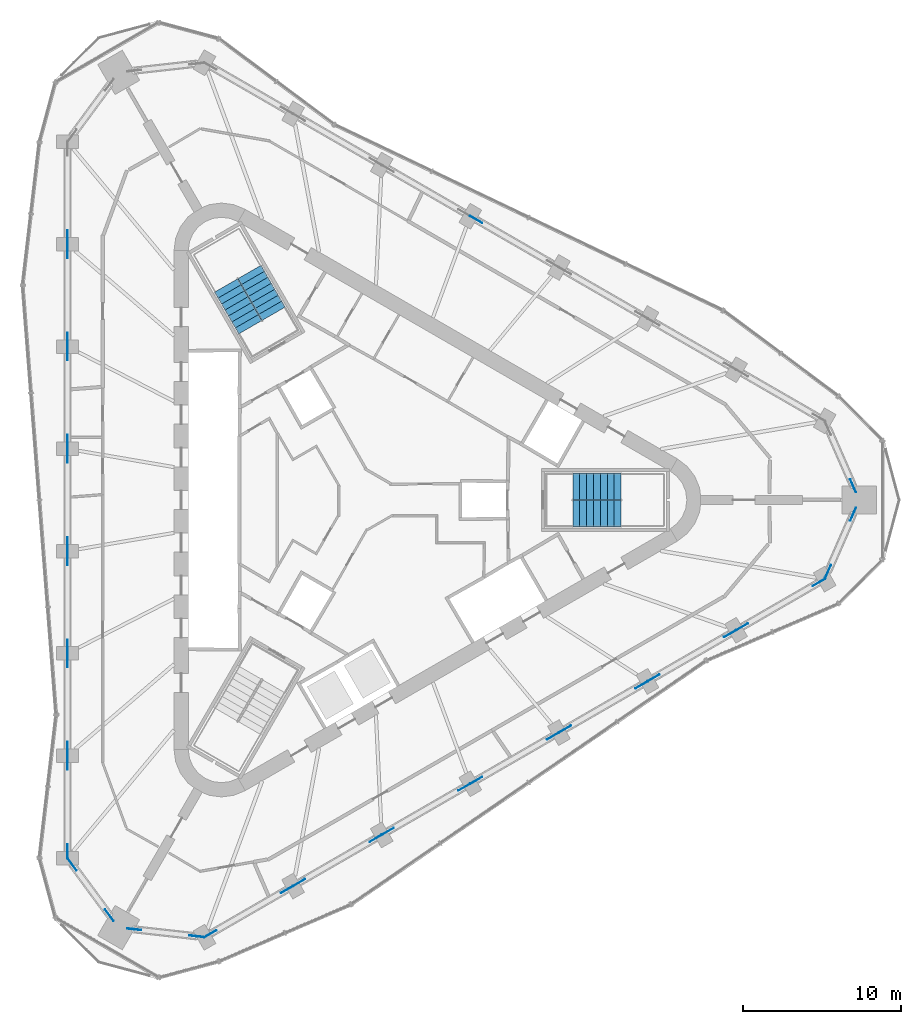
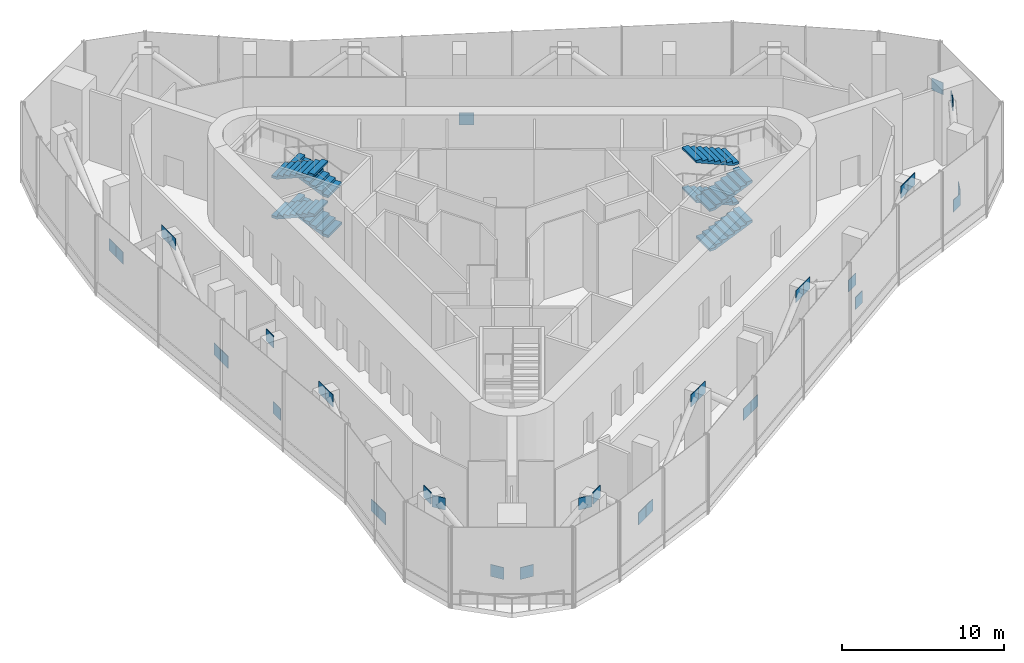
# One storey, part 11 of 15: 35 discrete accessories, 8 stair flights, 2 elements without a shape of their own.
"""IFC4 building model written with IfcOpenShell, lengths in metres."""

from ifc_helpers import new_model, si_unit, direction, frame, origin, origin_2d, place, context, subcontext, project, spatial, polyline, rectangle, outline, extrude, material, layer, layer_set, type_object, element, aggregate, save


model = new_model("IFC4")

# Units and contexts
model_context = context("Model", 3, precision=1e-05, world=origin(), true_north=direction((0.0, 1.0)))
body_context = subcontext(model_context, "Body", "Model", "MODEL_VIEW")
ifc_project = project(units=[si_unit("LENGTHUNIT", "METRE"), si_unit("AREAUNIT", "SQUARE_METRE"), si_unit("VOLUMEUNIT", "CUBIC_METRE"), si_unit("PLANEANGLEUNIT", "RADIAN"), si_unit("MASSUNIT", "GRAM", prefix="KILO")], contexts=[model_context])

# Site, building, storey
site_placement = place(None, origin())
site = spatial("IfcSite", under=ifc_project, at=site_placement, CompositionType="ELEMENT")
building_placement = place(site_placement, origin())
building = spatial("IfcBuilding", under=site, at=building_placement, Name="Tanit Gate Tower", CompositionType="ELEMENT")
storey_placement = place(building_placement, frame((0.0, 0.0, 392.300048828125)))
storey = spatial("IfcBuildingStorey", under=building, at=storey_placement, Name="L90", CompositionType="ELEMENT", Elevation=392.300048828125)

# Stair, stair flights
ifc_material_1 = material(Name="Concrete C40/50", Category="concrete")
stair_type = type_object("IfcStairType", Name="INT-STAIR-EXIT", PredefinedType="HALF_TURN_STAIR", material=ifc_material_1)
stair_1_placement = place(storey_placement, origin())
stair_1 = element("IfcStair", 1, at=stair_1_placement, inside=storey, type_object=stair_type, Name="L90 STAIR S1", PredefinedType="HALF_TURN_STAIR")
ifc_material_2 = material(Name="Concrete C40/50", Category="concrete")
stair_flight_type = type_object("IfcStairFlightType", Name="INT-STAIR-FLIGHT", PredefinedType="STRAIGHT", material=ifc_material_2)
stair_flight_1_placement = place(storey_placement, frame((13.094970703125, -0.8525390625, 0.0), z_axis=(0.0, 0.0, 1.0), x_axis=(1.0, 0.0, 0.0)))
stair_flight_1 = element("IfcStairFlight", 2, at=stair_flight_1_placement, type_object=stair_flight_type, Name="S1 flight 1", NumberOfRisers=8, NumberOfTreads=7, PredefinedType="STRAIGHT", RiserHeight=0.1875, TreadLength=0.435857143, context=body_context, shape_type="SweptSolid", body=[
    extrude(outline(polyline([(0.0, 0.0), (0.0, 0.1875), (0.435791015625, 0.1875), (0.435791015625, 0.375), (0.871826171875, 0.375), (0.871826171875, 0.5625), (1.3076171875, 0.5625), (1.3076171875, 0.75), (1.743408203125, 0.75), (1.743408203125, 0.9375), (2.17919921875, 0.9375), (2.17919921875, 1.125), (2.615234375, 1.125), (2.615234375, 1.3125), (3.051025390625, 1.3125), (3.051025390625, 1.5), (3.051025390625, 1.1494140625), (0.37939453125, 0.0), (0.0, 0.0)])), frame((0.0, 0.84765625, 0.0), z_axis=(0.0, -1.0, 0.0), x_axis=(1.0, 0.0, 0.0)), (0.0, 0.0, 1.0), 1.695068359375),
])
stair_flight_2_placement = place(storey_placement, frame((16.14599609375, 0.8525390625, 1.5), z_axis=(0.0, 0.0, 1.0), x_axis=(-1.0, 0.0, 0.0)))
stair_flight_2 = element("IfcStairFlight", 3, at=stair_flight_2_placement, type_object=stair_flight_type, Name="S1 flight 2", NumberOfRisers=8, NumberOfTreads=7, PredefinedType="STRAIGHT", RiserHeight=0.1875, TreadLength=0.435857143, context=body_context, shape_type="SweptSolid", body=[
    extrude(outline(polyline([(0.0, 0.0), (0.0, 0.1875), (0.435791015625, 0.1875), (0.435791015625, 0.375), (0.871826171875, 0.375), (0.871826171875, 0.5625), (1.3076171875, 0.5625), (1.3076171875, 0.75), (1.743408203125, 0.75), (1.743408203125, 0.9375), (2.17919921875, 0.9375), (2.17919921875, 1.125), (2.615234375, 1.125), (2.615234375, 1.3125), (3.051025390625, 1.3125), (3.051025390625, 1.5), (3.051025390625, 1.1494140625), (0.37939453125, 0.0), (0.0, 0.0)])), frame((0.0, 0.84765625, 0.0), z_axis=(0.0, -1.0, 0.0), x_axis=(1.0, 0.0, 0.0)), (0.0, 0.0, 1.0), 1.695068359375),
])
stair_flight_3_placement = place(storey_placement, frame((13.094970703125, -0.8525390625, 3.0), z_axis=(0.0, 0.0, 1.0), x_axis=(1.0, 0.0, 0.0)))
stair_flight_3 = element("IfcStairFlight", 4, at=stair_flight_3_placement, type_object=stair_flight_type, Name="S1 flight 3", NumberOfRisers=8, NumberOfTreads=7, PredefinedType="STRAIGHT", RiserHeight=0.1875, TreadLength=0.435857143, context=body_context, shape_type="SweptSolid", body=[
    extrude(outline(polyline([(0.0, 0.0), (0.0, 0.1875), (0.435791015625, 0.1875), (0.435791015625, 0.375), (0.871826171875, 0.375), (0.871826171875, 0.5625), (1.3076171875, 0.5625), (1.3076171875, 0.75), (1.743408203125, 0.75), (1.743408203125, 0.9375), (2.17919921875, 0.9375), (2.17919921875, 1.125), (2.615234375, 1.125), (2.615234375, 1.3125), (3.051025390625, 1.3125), (3.051025390625, 1.5), (3.051025390625, 1.1494140625), (0.37939453125, 0.0), (0.0, 0.0)])), frame((0.0, 0.84765625, 0.0), z_axis=(0.0, -1.0, 0.0), x_axis=(1.0, 0.0, 0.0)), (0.0, 0.0, 1.0), 1.695068359375),
])
stair_flight_4_placement = place(storey_placement, frame((16.14599609375, 0.8525390625, 4.5), z_axis=(0.0, 0.0, 1.0), x_axis=(-1.0, 0.0, 0.0)))
stair_flight_4 = element("IfcStairFlight", 5, at=stair_flight_4_placement, type_object=stair_flight_type, Name="S1 flight 4", NumberOfRisers=8, NumberOfTreads=7, PredefinedType="STRAIGHT", RiserHeight=0.1875, TreadLength=0.435857143, context=body_context, shape_type="SweptSolid", body=[
    extrude(outline(polyline([(0.0, 0.0), (0.0, 0.1875), (0.435791015625, 0.1875), (0.435791015625, 0.375), (0.871826171875, 0.375), (0.871826171875, 0.5625), (1.3076171875, 0.5625), (1.3076171875, 0.75), (1.743408203125, 0.75), (1.743408203125, 0.9375), (2.17919921875, 0.9375), (2.17919921875, 1.125), (2.615234375, 1.125), (2.615234375, 1.3125), (3.051025390625, 1.3125), (3.051025390625, 1.5), (3.051025390625, 1.1494140625), (0.37939453125, 0.0), (0.0, 0.0)])), frame((0.0, 0.84765625, 0.0), z_axis=(0.0, -1.0, 0.0), x_axis=(1.0, 0.0, 0.0)), (0.0, 0.0, 1.0), 1.695068359375),
])
aggregate(stair_1, [stair_flight_1, stair_flight_2, stair_flight_3, stair_flight_4])

stair_2_placement = place(storey_placement, origin())
stair_2 = element("IfcStair", 6, at=stair_2_placement, inside=storey, type_object=stair_type, Name="L90 STAIR S2", PredefinedType="HALF_TURN_STAIR")
stair_flight_5_placement = place(storey_placement, frame((-5.808349609375, 11.766357421875, 0.0), z_axis=(0.0, 0.0, 1.0), x_axis=(-0.5, 0.866025403784, 0.0)))
stair_flight_5 = element("IfcStairFlight", 7, at=stair_flight_5_placement, type_object=stair_flight_type, Name="S2 flight 1", NumberOfRisers=8, NumberOfTreads=7, PredefinedType="STRAIGHT", RiserHeight=0.1875, TreadLength=0.4356, context=body_context, shape_type="SweptSolid", body=[
    extrude(outline(polyline([(0.0, 0.0), (0.0, 0.1875), (0.435546875, 0.1875), (0.435546875, 0.375), (0.87109375, 0.375), (0.87109375, 0.5625), (1.306884765625, 0.5625), (1.306884765625, 0.75), (1.742431640625, 0.75), (1.742431640625, 0.9375), (2.177978515625, 0.9375), (2.177978515625, 1.125), (2.613525390625, 1.125), (2.613525390625, 1.3125), (3.04931640625, 1.3125), (3.04931640625, 1.5), (3.04931640625, 1.1494140625), (0.379150390625, 0.0), (0.0, 0.0)])), frame((0.0, 0.84716796875, 0.0), z_axis=(0.0, -1.0, 0.0), x_axis=(1.0, 0.0, 0.0)), (0.0, 0.0, 1.0), 1.694091796875),
])
stair_flight_6_placement = place(storey_placement, frame((-8.810302734375, 13.553955078125, 1.5), z_axis=(0.0, 0.0, 1.0), x_axis=(0.5, -0.866025403784, 0.0)))
stair_flight_6 = element("IfcStairFlight", 8, at=stair_flight_6_placement, type_object=stair_flight_type, Name="S2 flight 2", NumberOfRisers=8, NumberOfTreads=7, PredefinedType="STRAIGHT", RiserHeight=0.1875, TreadLength=0.4356, context=body_context, shape_type="SweptSolid", body=[
    extrude(outline(polyline([(0.0, 0.0), (0.0, 0.1875), (0.435546875, 0.1875), (0.435546875, 0.375), (0.87109375, 0.375), (0.87109375, 0.5625), (1.306884765625, 0.5625), (1.306884765625, 0.75), (1.742431640625, 0.75), (1.742431640625, 0.9375), (2.177978515625, 0.9375), (2.177978515625, 1.125), (2.613525390625, 1.125), (2.613525390625, 1.3125), (3.04931640625, 1.3125), (3.04931640625, 1.5), (3.04931640625, 1.1494140625), (0.379150390625, 0.0), (0.0, 0.0)])), frame((0.0, 0.84716796875, 0.0), z_axis=(0.0, -1.0, 0.0), x_axis=(1.0, 0.0, 0.0)), (0.0, 0.0, 1.0), 1.694091796875),
])
stair_flight_7_placement = place(storey_placement, frame((-5.808349609375, 11.766357421875, 3.0), z_axis=(0.0, 0.0, 1.0), x_axis=(-0.5, 0.866025403784, 0.0)))
stair_flight_7 = element("IfcStairFlight", 9, at=stair_flight_7_placement, type_object=stair_flight_type, Name="S2 flight 3", NumberOfRisers=8, NumberOfTreads=7, PredefinedType="STRAIGHT", RiserHeight=0.1875, TreadLength=0.4356, context=body_context, shape_type="SweptSolid", body=[
    extrude(outline(polyline([(0.0, 0.0), (0.0, 0.1875), (0.435546875, 0.1875), (0.435546875, 0.375), (0.87109375, 0.375), (0.87109375, 0.5625), (1.306884765625, 0.5625), (1.306884765625, 0.75), (1.742431640625, 0.75), (1.742431640625, 0.9375), (2.177978515625, 0.9375), (2.177978515625, 1.125), (2.613525390625, 1.125), (2.613525390625, 1.3125), (3.04931640625, 1.3125), (3.04931640625, 1.5), (3.04931640625, 1.1494140625), (0.379150390625, 0.0), (0.0, 0.0)])), frame((0.0, 0.84716796875, 0.0), z_axis=(0.0, -1.0, 0.0), x_axis=(1.0, 0.0, 0.0)), (0.0, 0.0, 1.0), 1.694091796875),
])
stair_flight_8_placement = place(storey_placement, frame((-8.810302734375, 13.553955078125, 4.5), z_axis=(0.0, 0.0, 1.0), x_axis=(0.5, -0.866025403784, 0.0)))
stair_flight_8 = element("IfcStairFlight", 10, at=stair_flight_8_placement, type_object=stair_flight_type, Name="S2 flight 4", NumberOfRisers=8, NumberOfTreads=7, PredefinedType="STRAIGHT", RiserHeight=0.1875, TreadLength=0.4356, context=body_context, shape_type="SweptSolid", body=[
    extrude(outline(polyline([(0.0, 0.0), (0.0, 0.1875), (0.435546875, 0.1875), (0.435546875, 0.375), (0.87109375, 0.375), (0.87109375, 0.5625), (1.306884765625, 0.5625), (1.306884765625, 0.75), (1.742431640625, 0.75), (1.742431640625, 0.9375), (2.177978515625, 0.9375), (2.177978515625, 1.125), (2.613525390625, 1.125), (2.613525390625, 1.3125), (3.04931640625, 1.3125), (3.04931640625, 1.5), (3.04931640625, 1.1494140625), (0.379150390625, 0.0), (0.0, 0.0)])), frame((0.0, 0.84716796875, 0.0), z_axis=(0.0, -1.0, 0.0), x_axis=(1.0, 0.0, 0.0)), (0.0, 0.0, 1.0), 1.694091796875),
])
aggregate(stair_2, [stair_flight_5, stair_flight_6, stair_flight_7, stair_flight_8])

# Discrete accessories
ifc_material_3 = material(Name="Steel S460", Category="steel")
ifc_layer = layer(ifc_material_3, 0.0400390625)
ifc_layer_set = layer_set([ifc_layer], Name="GUSSET PLATE 900x900x40 S460")
discrete_accessory_type = type_object("IfcDiscreteAccessoryType", Name="GUSSET PLATE 900x900x40 S460", PredefinedType="BRACKET", material=ifc_layer_set)
for number, where, z_axis, x_axis, name in (
    (11, (-18.833984375, -22.198486328125, 4.875244140625), (0.0, 0.0, 1.0), (0.0, 1.0, 0.0), "GUSSET PLATE NODE L90-149"),
    (12, (-18.833984375, -16.584716796875, -0.0751953125), (0.0, 0.0, 1.0), (0.0, -1.0, 0.0), "GUSSET PLATE NODE L90-150"),
    (13, (-18.833984375, -15.734619140625, -0.0751953125), (0.0, 0.0, 1.0), (0.0, 1.0, 0.0), "GUSSET PLATE NODE L90-151"),
    (14, (-18.833984375, -10.120849609375, 4.875244140625), (0.0, 0.0, 1.0), (0.0, -1.0, 0.0), "GUSSET PLATE NODE L90-152"),
    (15, (-18.833984375, -9.270751953125, 4.875244140625), (0.0, 0.0, 1.0), (0.0, 1.0, 0.0), "GUSSET PLATE NODE L90-153"),
    (16, (-18.833984375, -3.656982421875, -0.0751953125), (0.0, 0.0, 1.0), (0.0, -1.0, 0.0), "GUSSET PLATE NODE L90-154"),
    (17, (-18.833984375, -2.806884765625, 4.875244140625), (0.0, 0.0, 1.0), (0.0, 1.0, 0.0), "GUSSET PLATE NODE L90-155"),
    (18, (-18.833984375, 2.806884765625, -0.0751953125), (0.0, 0.0, 1.0), (0.0, -1.0, 0.0), "GUSSET PLATE NODE L90-156"),
    (19, (-18.833984375, 3.656982421875, -0.0751953125), (0.0, 0.0, 1.0), (0.0, 1.0, 0.0), "GUSSET PLATE NODE L90-157"),
    (20, (-18.833984375, 9.270751953125, 4.875244140625), (0.0, 0.0, 1.0), (0.0, -1.0, 0.0), "GUSSET PLATE NODE L90-158"),
    (21, (-18.833984375, 10.120849609375, 4.875244140625), (0.0, 0.0, 1.0), (0.0, 1.0, 0.0), "GUSSET PLATE NODE L90-159"),
    (22, (-18.833984375, 15.734619140625, -0.0751953125), (0.0, 0.0, 1.0), (0.0, -1.0, 0.0), "GUSSET PLATE NODE L90-160"),
    (23, (-18.833984375, 16.584716796875, -0.0751953125), (0.0, 0.0, 1.0), (0.0, 1.0, 0.0), "GUSSET PLATE NODE L90-161"),
    (24, (-18.52099609375, -23.048583984375, 4.698486328125), (0.0, 0.0, 1.0), (0.593123837767, -0.80511124267, 0.0), "GUSSET PLATE NODE L90-163"),
    (25, (-16.180419921875, -26.225341796875, 0.576171875), (0.0, 0.0, 1.0), (-0.593123837767, 0.80511124267, 0.0), "GUSSET PLATE NODE L90-165"),
    (26, (-14.62158203125, -27.12548828125, 0.576171875), (0.0, 0.0, 1.0), (0.993808707908, -0.111104689761, 0.0), "GUSSET PLATE NODE L90-167"),
    (27, (-10.7001953125, -27.563720703125, 4.698486328125), (0.0, 0.0, 1.0), (-0.993808707908, 0.111104689761, 0.0), "GUSSET PLATE NODE L90-169"),
    (28, (-9.8076171875, -27.409912109375, 4.875244140625), (0.0, 0.0, 1.0), (0.866025403784, 0.5, 0.0), "GUSSET PLATE NODE L90-171"),
    (29, (-4.94580078125, -24.60302734375, -0.0751953125), (0.0, 0.0, 1.0), (-0.866025403784, -0.5, 0.0), "GUSSET PLATE NODE L90-173"),
    (30, (-4.209716796875, -24.177978515625, -0.0751953125), (0.0, 0.0, 1.0), (0.866025403784, 0.5, 0.0), "GUSSET PLATE NODE L90-175"),
    (31, (0.652099609375, -21.37109375, 4.875244140625), (0.0, 0.0, 1.0), (-0.866025403784, -0.5, 0.0), "GUSSET PLATE NODE L90-177"),
    (32, (1.38818359375, -20.946044921875, 4.875244140625), (0.0, 0.0, 1.0), (0.866025403784, 0.5, 0.0), "GUSSET PLATE NODE L90-179"),
    (33, (6.25, -18.13916015625, -0.0751953125), (0.0, 0.0, 1.0), (-0.866025403784, -0.5, 0.0), "GUSSET PLATE NODE L90-181"),
    (34, (6.986083984375, -17.714111328125, -0.0751953125), (0.0, 0.0, 1.0), (0.866025403784, 0.5, 0.0), "GUSSET PLATE NODE L90-183"),
    (35, (6.986083984375, 17.714111328125, -0.0751953125), (0.0, 0.0, 1.0), (0.866025403784, -0.5, 0.0), "GUSSET PLATE NODE L90-184"),
    (36, (11.847900390625, -14.9072265625, 4.875244140625), (0.0, 0.0, 1.0), (-0.866025403784, -0.5, 0.0), "GUSSET PLATE NODE L90-185"),
    (37, (12.583984375, -14.482177734375, 4.875244140625), (0.0, 0.0, 1.0), (0.866025403784, 0.5, 0.0), "GUSSET PLATE NODE L90-187"),
    (38, (17.44580078125, -11.67529296875, 1.75), (0.0, 0.0, 1.0), (-0.866025403784, -0.5, 0.0), "GUSSET PLATE NODE L90-189"),
    (39, (18.181884765625, -11.250244140625, -0.0751953125), (0.0, 0.0, 1.0), (0.866025403784, 0.5, 0.0), "GUSSET PLATE NODE L90-191"),
    (40, (23.043701171875, -8.443359375, 4.875244140625), (0.0, 0.0, 1.0), (-0.866025403784, -0.5, 0.0), "GUSSET PLATE NODE L90-193"),
    (41, (23.77978515625, -8.018310546875, 4.875244140625), (0.0, 0.0, 1.0), (0.866025403784, 0.5, 0.0), "GUSSET PLATE NODE L90-195"),
    (42, (28.6416015625, -5.21142578125, -0.0751953125), (0.0, 0.0, 1.0), (-0.866025403784, -0.5, 0.0), "GUSSET PLATE NODE L90-197"),
    (43, (29.22119140625, -4.51513671875, 0.1015625), (0.0, 0.0, 1.0), (0.400684870141, 0.916215932431, 0.0), "GUSSET PLATE NODE L90-199"),
    (44, (30.802001953125, -0.89990234375, 4.223876953125), (0.0, 0.0, 1.0), (-0.400684870141, -0.916215932431, 0.0), "GUSSET PLATE NODE L90-201"),
    (45, (30.802001953125, 0.89990234375, 4.223876953125), (0.0, 0.0, 1.0), (-0.400684870141, 0.916215932431, 0.0), "GUSSET PLATE NODE L90-202"),
):
    element("IfcDiscreteAccessory", number, at=place(storey_placement, frame(where, z_axis=z_axis, x_axis=x_axis)), inside=storey, type_object=discrete_accessory_type, Name=name, PredefinedType="BRACKET", context=body_context, shape_type="SweptSolid", body=[
        extrude(rectangle(XDim=0.89990234375, YDim=0.0400390625, at=origin_2d()), origin(), (0.0, 0.0, 1.0), 0.89990234375),
    ])

save(model, "model.ifc")
